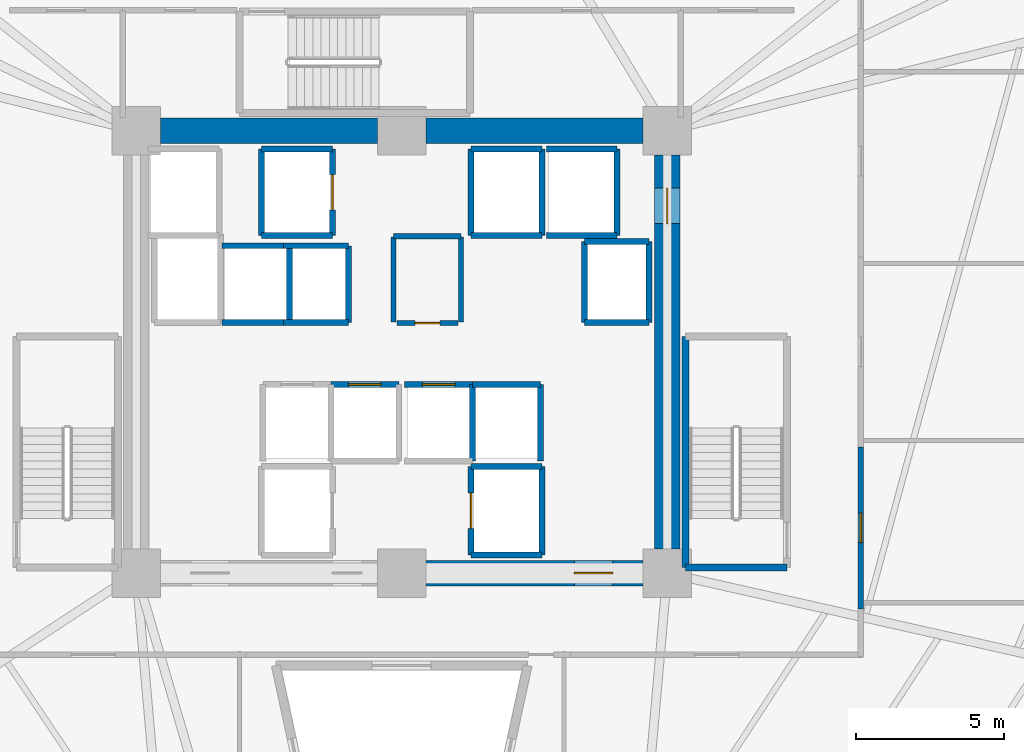
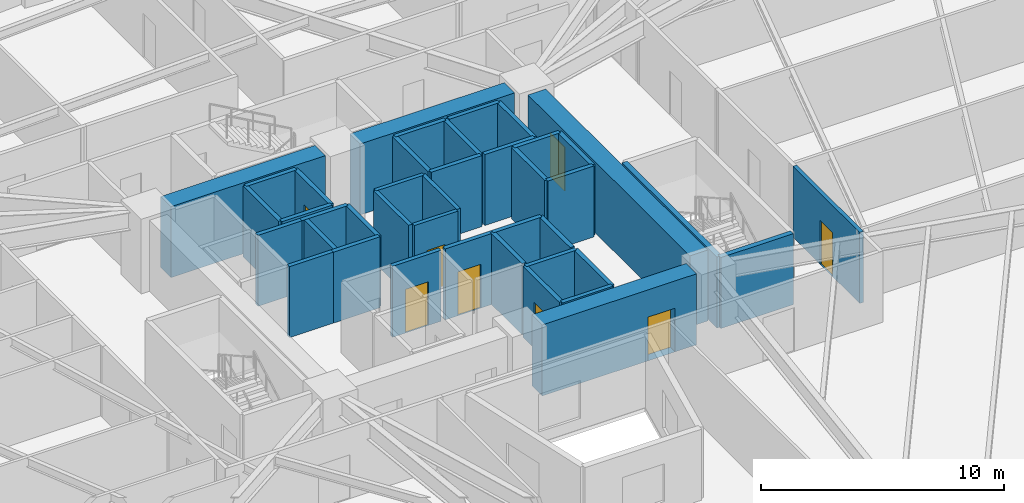
# One storey, part 5 of 8: 41 walls, 8 doors, 8 openings.
"""IFC4 building model written with IfcOpenShell, lengths in metres."""

from ifc_helpers import new_model, si_unit, direction, frame, frame_2d, origin, place, context, subcontext, project, spatial, rectangle, extrude, source, transform, mapped, material, layer, layer_set, type_object, element, fill, save


model = new_model("IFC4")

# Units and contexts
model_context = context("Model", 3, precision=1e-05, world=origin(), true_north=direction((0.0, 1.0)))
body_context = subcontext(model_context, "Body", "Model", "MODEL_VIEW")
ifc_project = project(units=[si_unit("LENGTHUNIT", "METRE"), si_unit("AREAUNIT", "SQUARE_METRE"), si_unit("VOLUMEUNIT", "CUBIC_METRE"), si_unit("PLANEANGLEUNIT", "RADIAN"), si_unit("MASSUNIT", "GRAM", prefix="KILO")], contexts=[model_context])

# Site, building, storey
site_placement = place(None, origin())
site = spatial("IfcSite", under=ifc_project, at=site_placement, CompositionType="ELEMENT")
building_placement = place(site_placement, origin())
building = spatial("IfcBuilding", under=site, at=building_placement, Name="Liaohun Quay Tower", CompositionType="ELEMENT")
storey_placement = place(building_placement, frame((0.0, 0.0, 81.75)))
storey = spatial("IfcBuildingStorey", under=building, at=storey_placement, Name="L21", CompositionType="ELEMENT", Elevation=81.75)

# Walls
ifc_material_1 = material(Name="Concrete C60", Category="concrete")
ifc_layer_1 = layer(ifc_material_1, 0.85009765625, Name="Concrete C60", Category="concrete")
ifc_layer_set_1 = layer_set([ifc_layer_1], Name="Concrete C60")
wall_type_1 = type_object("IfcWallType", Name="WAL-COR-Z1", PredefinedType="SHEAR", material=ifc_layer_set_1)
for number, where, z_axis, x_axis, name in (
    (1, (51.824951171875, 61.5, 0.0), (0.0, 0.0, 1.0), (1.0, 0.0, 0.0), "L21 Central Core Shear Wall N-W"),
    (2, (60.824951171875, 61.5, 0.0), (0.0, 0.0, 1.0), (1.0, 0.0, 0.0), "L21 Central Core Shear Wall N-E"),
):
    element("IfcWall", number, at=place(storey_placement, frame(where, z_axis=z_axis, x_axis=x_axis)), inside=storey, type_object=wall_type_1, Name=name, PredefinedType="SHEAR", context=body_context, shape_type="SweptSolid", body=[
        extrude(rectangle(XDim=7.35009765625, YDim=0.85009765625, at=frame_2d((3.675048828125, 0.0))), origin(), (0.0, 0.0, 1.0), 3.570068359375),
    ])

# Wall, opening, door
wall_1_placement = place(storey_placement, frame((69.0, 60.675048828125, 0.0), z_axis=(0.0, 0.0, 1.0), x_axis=(0.0, -1.0, 0.0)))
wall_1 = element("IfcWall", 3, at=wall_1_placement, inside=storey, type_object=wall_type_1, Name="L21 Central Core Shear Wall E", PredefinedType="SHEAR", context=body_context, shape_type="SweptSolid", body=[
    extrude(rectangle(XDim=13.35009765625, YDim=0.85009765625, at=frame_2d((6.675048828125, 0.0))), origin(), (0.0, 0.0, 1.0), 3.570068359375),
])
shared_shape_1 = source(origin(), body_context, "Body", "SweptSolid", [
    extrude(rectangle(XDim=1.199951171875, YDim=2.199951171875, at=frame_2d((0.60009765625, 1.10009765625))), frame((0.0, 0.43505859375, 0.0), z_axis=(0.0, -1.0, 0.0), x_axis=(1.0, 0.0, 0.0)), (0.0, 0.0, 1.0), 0.8701171875),
])
opening_1_placement = place(wall_1_placement, frame((1.125, 0.0, 0.0)))
opening_1 = element("IfcOpeningElement", 4, at=opening_1_placement, cuts=wall_1, Name="Opening SD1", PredefinedType="OPENING", context=body_context, shape_type="MappedRepresentation", body=[
    mapped(shared_shape_1, transform((0.0, 0.0, 0.0), x_axis=(1.0, 0.0, 0.0), y_axis=(0.0, 1.0, 0.0), z_axis=(0.0, 0.0, 1.0), scale=1.0)),
])
ifc_material_2 = material(Name="Galvanised steel fire door", Category="steel")
door_type_1 = type_object("IfcDoorType", Name="DOR-STR-1200", OperationType="NOTDEFINED", PredefinedType="DOOR", material=ifc_material_2)
shared_shape_2 = source(origin(), body_context, "Body", "SweptSolid", [
    extrude(rectangle(XDim=1.199951171875, YDim=2.199951171875, at=frame_2d((0.60009765625, 1.10009765625))), frame((0.0, 0.02490234375, 0.0), z_axis=(0.0, -1.0, 0.0), x_axis=(1.0, 0.0, 0.0)), (0.0, 0.0, 1.0), 0.050048828125),
])
door_1_placement = place(opening_1_placement, origin())
door_1 = element("IfcDoor", 5, at=door_1_placement, inside=storey, type_object=door_type_1, Name="L21 North-East Core Lobby Smokeproof Door", OperationType="SINGLE_SWING_LEFT", OverallHeight=2.199951171875, OverallWidth=1.199951171875, PredefinedType="DOOR", context=body_context, shape_type="MappedRepresentation", body=[
    mapped(shared_shape_2, transform((0.0, 0.0, 0.0), x_axis=(1.0, 0.0, 0.0), y_axis=(0.0, 1.0, 0.0), z_axis=(0.0, 0.0, 1.0), scale=1.0)),
])
fill(opening_1, door_1)

wall_2_placement = place(storey_placement, frame((68.175048828125, 46.5, 0.0), z_axis=(0.0, 0.0, 1.0), x_axis=(-1.0, 0.0, 0.0)))
wall_2 = element("IfcWall", 6, at=wall_2_placement, inside=storey, type_object=wall_type_1, Name="L21 Central Core Shear Wall S-E", PredefinedType="SHEAR", context=body_context, shape_type="SweptSolid", body=[
    extrude(rectangle(XDim=7.35009765625, YDim=0.85009765625, at=frame_2d((3.675048828125, 0.0))), origin(), (0.0, 0.0, 1.0), 3.570068359375),
])
shared_shape_3 = source(origin(), body_context, "Body", "SweptSolid", [
    extrude(rectangle(XDim=1.300048828125, YDim=2.199951171875, at=frame_2d((0.64990234375, 1.10009765625))), frame((0.0, 0.43505859375, 0.0), z_axis=(0.0, -1.0, 0.0), x_axis=(1.0, 0.0, 0.0)), (0.0, 0.0, 1.0), 0.8701171875),
])
opening_2_placement = place(wall_2_placement, frame((1.02490234375, 0.0, 0.0)))
opening_2 = element("IfcOpeningElement", 7, at=opening_2_placement, cuts=wall_2, Name="Opening FD1", PredefinedType="OPENING", context=body_context, shape_type="MappedRepresentation", body=[
    mapped(shared_shape_3, transform((0.0, 0.0, 0.0), x_axis=(1.0, 0.0, 0.0), y_axis=(0.0, 1.0, 0.0), z_axis=(0.0, 0.0, 1.0), scale=1.0)),
])
ifc_material_3 = material(Name="Galvanised steel smokeproof fire door", Category="steel")
door_type_2 = type_object("IfcDoorType", Name="DOR-FFL-1300", OperationType="NOTDEFINED", PredefinedType="DOOR", material=ifc_material_3)
shared_shape_4 = source(origin(), body_context, "Body", "SweptSolid", [
    extrude(rectangle(XDim=1.300048828125, YDim=2.199951171875, at=frame_2d((0.64990234375, 1.10009765625))), frame((0.0, 0.02490234375, 0.0), z_axis=(0.0, -1.0, 0.0), x_axis=(1.0, 0.0, 0.0)), (0.0, 0.0, 1.0), 0.050048828125),
])
door_2_placement = place(opening_2_placement, origin())
door_2 = element("IfcDoor", 8, at=door_2_placement, inside=storey, type_object=door_type_2, Name="L21 East Core Lift Lobby Smokeproof Door", OperationType="SINGLE_SWING_LEFT", OverallHeight=2.199951171875, OverallWidth=1.300048828125, PredefinedType="DOOR", context=body_context, shape_type="MappedRepresentation", body=[
    mapped(shared_shape_4, transform((0.0, 0.0, 0.0), x_axis=(1.0, 0.0, 0.0), y_axis=(0.0, 1.0, 0.0), z_axis=(0.0, 0.0, 1.0), scale=1.0)),
])
fill(opening_2, door_2)

ifc_material_4 = material(Name="Autoclaved aerated concrete blockwork", Category="masonry")
ifc_layer_2 = layer(ifc_material_4, 0.179931640625, Name="Autoclaved aerated concrete blockwork", Category="masonry")
ifc_layer_set_2 = layer_set([ifc_layer_2], Name="Autoclaved aerated concrete blockwork")
wall_type_2 = type_object("IfcWallType", Name="WAL-PRT-COR", PredefinedType="PARTITIONING", material=ifc_layer_set_2)
wall_3_placement = place(storey_placement, frame((59.840087890625, 54.97998046875, 0.0), z_axis=(0.0, 0.0, 1.0), x_axis=(1.0, 0.0, 0.0)))
wall_3 = element("IfcWall", 9, at=wall_3_placement, inside=storey, type_object=wall_type_2, Name="L21 Interior Partition Wall 001", PredefinedType="PARTITIONING", context=body_context, shape_type="SweptSolid", body=[
    extrude(rectangle(XDim=2.059814453125, YDim=0.179931640625, at=frame_2d((1.02978515625, 0.0))), origin(), (0.0, 0.0, 1.0), 3.570068359375),
])
shared_shape_5 = source(origin(), body_context, "Body", "SweptSolid", [
    extrude(rectangle(XDim=0.85009765625, YDim=2.10009765625, at=frame_2d((0.425048828125, 1.050048828125))), frame((0.0, 0.099853515625, 0.0), z_axis=(0.0, -1.0, 0.0), x_axis=(1.0, 0.0, 0.0)), (0.0, 0.0, 1.0), 0.199951171875),
])
opening_3_placement = place(wall_3_placement, frame((0.60498046875, 0.0, 0.0)))
opening_3 = element("IfcOpeningElement", 10, at=opening_3_placement, cuts=wall_3, Name="Opening AD1", PredefinedType="OPENING", context=body_context, shape_type="MappedRepresentation", body=[
    mapped(shared_shape_5, transform((0.0, 0.0, 0.0), x_axis=(1.0, 0.0, 0.0), y_axis=(0.0, 1.0, 0.0), z_axis=(0.0, 0.0, 1.0), scale=1.0)),
])
ifc_material_5 = material(Name="Steel riser inspection fire door", Category="steel")
door_type_3 = type_object("IfcDoorType", Name="DOR-SHF-850", OperationType="NOTDEFINED", PredefinedType="DOOR", material=ifc_material_5)
shared_shape_6 = source(origin(), body_context, "Body", "SweptSolid", [
    extrude(rectangle(XDim=0.85009765625, YDim=2.10009765625, at=frame_2d((0.425048828125, 1.050048828125))), frame((0.0, 0.02490234375, 0.0), z_axis=(0.0, -1.0, 0.0), x_axis=(1.0, 0.0, 0.0)), (0.0, 0.0, 1.0), 0.050048828125),
])
door_3_placement = place(opening_3_placement, origin())
door_3 = element("IfcDoor", 11, at=door_3_placement, inside=storey, type_object=door_type_3, Name="L21 Core Electrical and Telecom Riser Room Door", OperationType="SINGLE_SWING_LEFT", OverallHeight=2.10009765625, OverallWidth=0.85009765625, PredefinedType="DOOR", context=body_context, shape_type="MappedRepresentation", body=[
    mapped(shared_shape_6, transform((0.0, 0.0, 0.0), x_axis=(1.0, 0.0, 0.0), y_axis=(0.0, 1.0, 0.0), z_axis=(0.0, 0.0, 1.0), scale=1.0)),
])
fill(opening_3, door_3)

wall_4_placement = place(storey_placement, frame((75.56005859375, 50.784912109375, 0.0), z_axis=(0.0, 0.0, 1.0), x_axis=(0.0, -1.0, 0.0)))
wall_4 = element("IfcWall", 12, at=wall_4_placement, inside=storey, type_object=wall_type_2, Name="L21 Interior Partition Wall 022", PredefinedType="PARTITIONING", context=body_context, shape_type="SweptSolid", body=[
    extrude(rectangle(XDim=5.5, YDim=0.179931640625, at=frame_2d((2.75, 0.0))), origin(), (0.0, 0.0, 1.0), 3.570068359375),
])
shared_shape_7 = source(origin(), body_context, "Body", "SweptSolid", [
    extrude(rectangle(XDim=1.0, YDim=2.199951171875, at=frame_2d((0.5, 1.10009765625))), frame((0.0, 0.099853515625, 0.0), z_axis=(0.0, -1.0, 0.0), x_axis=(1.0, 0.0, 0.0)), (0.0, 0.0, 1.0), 0.199951171875),
])
opening_4_placement = place(wall_4_placement, frame((2.25, 0.0, 0.0)))
opening_4 = element("IfcOpeningElement", 13, at=opening_4_placement, cuts=wall_4, Name="Opening OD1", PredefinedType="OPENING", context=body_context, shape_type="MappedRepresentation", body=[
    mapped(shared_shape_7, transform((0.0, 0.0, 0.0), x_axis=(1.0, 0.0, 0.0), y_axis=(0.0, 1.0, 0.0), z_axis=(0.0, 0.0, 1.0), scale=1.0)),
])
ifc_material_6 = material(Name="Solid-core oak veneer timber leaf in steel frame", Category="steel")
door_type_4 = type_object("IfcDoorType", Name="DOR-OFF-1000", OperationType="NOTDEFINED", PredefinedType="DOOR", material=ifc_material_6)
shared_shape_8 = source(origin(), body_context, "Body", "SweptSolid", [
    extrude(rectangle(XDim=1.0, YDim=2.199951171875, at=frame_2d((0.5, 1.10009765625))), frame((0.0, 0.02490234375, 0.0), z_axis=(0.0, -1.0, 0.0), x_axis=(1.0, 0.0, 0.0)), (0.0, 0.0, 1.0), 0.050048828125),
])
door_4_placement = place(opening_4_placement, origin())
door_4 = element("IfcDoor", 14, at=door_4_placement, inside=storey, type_object=door_type_4, Name="L21 Project Operations Office 14 Door", OperationType="SINGLE_SWING_RIGHT", OverallHeight=2.199951171875, OverallWidth=1.0, PredefinedType="DOOR", context=body_context, shape_type="MappedRepresentation", body=[
    mapped(shared_shape_8, transform((0.0, 0.0, 0.0), x_axis=(1.0, 0.0, 0.0), y_axis=(0.0, 1.0, 0.0), z_axis=(0.0, 0.0, 1.0), scale=1.0)),
])
fill(opening_4, door_4)

# Walls
for number, where, z_axis, x_axis, name in (
    (15, (59.719970703125, 55.02001953125, 0.0), (0.0, 0.0, 1.0), (0.0, 1.0, 0.0), "L21 Interior Partition Wall 023"),
    (16, (62.010009765625, 55.02001953125, 0.0), (0.0, 0.0, 1.0), (0.0, 1.0, 0.0), "L21 Interior Partition Wall 024"),
):
    element("IfcWall", number, at=place(storey_placement, frame(where, z_axis=z_axis, x_axis=x_axis)), inside=storey, type_object=wall_type_2, Name=name, PredefinedType="PARTITIONING", context=body_context, shape_type="SweptSolid", body=[
        extrude(rectangle(XDim=2.8798828125, YDim=0.179931640625, at=frame_2d((1.43994140625, 0.0))), origin(), (0.0, 0.0, 1.0), 3.570068359375),
    ])
wall_5_placement = place(storey_placement, frame((59.719970703125, 57.919921875, 0.0), z_axis=(0.0, 0.0, 1.0), x_axis=(1.0, 0.0, 0.0)))
element("IfcWall", 17, at=wall_5_placement, inside=storey, type_object=wall_type_2, Name="L21 Interior Partition Wall 025", PredefinedType="PARTITIONING", context=body_context, shape_type="SweptSolid", body=[
    extrude(rectangle(XDim=2.2900390625, YDim=0.179931640625, at=frame_2d((1.14501953125, 0.0))), origin(), (0.0, 0.0, 1.0), 3.570068359375),
])
ifc_material_7 = material(Name="Concrete C50", Category="concrete")
ifc_layer_3 = layer(ifc_material_7, 0.239990234375, Name="Concrete C50", Category="concrete")
ifc_layer_set_3 = layer_set([ifc_layer_3], Name="Concrete C50")
wall_type_3 = type_object("IfcWallType", Name="WAL-SHF-200", PredefinedType="SOLIDWALL", material=ifc_layer_set_3)
wall_6_placement = place(storey_placement, frame((69.6201171875, 46.699951171875, 0.0), z_axis=(0.0, 0.0, 1.0), x_axis=(1.0, 0.0, 0.0)))
element("IfcWall", 18, at=wall_6_placement, inside=storey, type_object=wall_type_3, Name="L21 Stairwell ST-2 Structural Core Wall S", PredefinedType="SOLIDWALL", context=body_context, shape_type="SweptSolid", body=[
    extrude(rectangle(XDim=3.43994140625, YDim=0.239990234375, at=frame_2d((1.719970703125, 0.0))), origin(), (0.0, 0.0, 1.0), 3.570068359375),
])
wall_7_placement = place(storey_placement, frame((69.6201171875, 54.52001953125, 0.0), z_axis=(0.0, 0.0, 1.0), x_axis=(0.0, -1.0, 0.0)))
element("IfcWall", 19, at=wall_7_placement, inside=storey, type_object=wall_type_3, Name="L21 Stairwell ST-2 Structural Core Wall W", PredefinedType="SOLIDWALL", context=body_context, shape_type="SweptSolid", body=[
    extrude(rectangle(XDim=7.820068359375, YDim=0.239990234375, at=frame_2d((3.91015625, 0.0))), origin(), (0.0, 0.0, 1.0), 3.570068359375),
])
wall_8_placement = place(storey_placement, frame((62.35009765625, 47.1201171875, 0.0), z_axis=(0.0, 0.0, 1.0), x_axis=(1.0, 0.0, 0.0)))
element("IfcWall", 20, at=wall_8_placement, inside=storey, type_object=wall_type_3, Name="L21 Lift FF-02 Hoistway Wall S", PredefinedType="SOLIDWALL", context=body_context, shape_type="SweptSolid", body=[
    extrude(rectangle(XDim=2.39990234375, YDim=0.199951171875, at=frame_2d((1.199951171875, 0.0))), origin(), (0.0, 0.0, 1.0), 3.570068359375),
])
wall_9_placement = place(storey_placement, frame((64.75, 47.1201171875, 0.0), z_axis=(0.0, 0.0, 1.0), x_axis=(0.0, 1.0, 0.0)))
element("IfcWall", 21, at=wall_9_placement, inside=storey, type_object=wall_type_3, Name="L21 Lift FF-02 Hoistway Wall E", PredefinedType="SOLIDWALL", context=body_context, shape_type="SweptSolid", body=[
    extrude(rectangle(XDim=3.0, YDim=0.199951171875, at=frame_2d((1.5, 0.0))), origin(), (0.0, 0.0, 1.0), 3.570068359375),
])
wall_10_placement = place(storey_placement, frame((64.75, 50.1201171875, 0.0), z_axis=(0.0, 0.0, 1.0), x_axis=(-1.0, 0.0, 0.0)))
element("IfcWall", 22, at=wall_10_placement, inside=storey, type_object=wall_type_3, Name="L21 Lift FF-02 Hoistway Wall N", PredefinedType="SOLIDWALL", context=body_context, shape_type="SweptSolid", body=[
    extrude(rectangle(XDim=2.39990234375, YDim=0.199951171875, at=frame_2d((1.199951171875, 0.0))), origin(), (0.0, 0.0, 1.0), 3.570068359375),
])

# Wall, opening, door
wall_11_placement = place(storey_placement, frame((62.35009765625, 50.1201171875, 0.0), z_axis=(0.0, 0.0, 1.0), x_axis=(0.0, -1.0, 0.0)))
wall_11 = element("IfcWall", 23, at=wall_11_placement, inside=storey, type_object=wall_type_3, Name="L21 Lift FF-02 Hoistway Wall W", PredefinedType="SOLIDWALL", context=body_context, shape_type="SweptSolid", body=[
    extrude(rectangle(XDim=3.0, YDim=0.199951171875, at=frame_2d((1.5, 0.0))), origin(), (0.0, 0.0, 1.0), 3.570068359375),
])
shared_shape_9 = source(origin(), body_context, "Body", "SweptSolid", [
    extrude(rectangle(XDim=1.199951171875, YDim=2.300048828125, at=frame_2d((0.60009765625, 1.14990234375))), frame((0.0, 0.10986328125, 0.0), z_axis=(0.0, -1.0, 0.0), x_axis=(1.0, 0.0, 0.0)), (0.0, 0.0, 1.0), 0.219970703125),
])
opening_5_placement = place(wall_11_placement, frame((0.89990234375, 0.0, 0.0)))
opening_5 = element("IfcOpeningElement", 24, at=opening_5_placement, cuts=wall_11, Name="Opening LD2", PredefinedType="OPENING", context=body_context, shape_type="MappedRepresentation", body=[
    mapped(shared_shape_9, transform((0.0, 0.0, 0.0), x_axis=(1.0, 0.0, 0.0), y_axis=(0.0, 1.0, 0.0), z_axis=(0.0, 0.0, 1.0), scale=1.0)),
])
ifc_material_8 = material(Name="Brushed stainless steel stretcher landing door", Category="steel")
door_type_5 = type_object("IfcDoorType", Name="DOR-LFT-1200", OperationType="SLIDING_TO_LEFT", PredefinedType="DOOR", material=ifc_material_8)
shared_shape_10 = source(origin(), body_context, "Body", "SweptSolid", [
    extrude(rectangle(XDim=1.199951171875, YDim=2.300048828125, at=frame_2d((0.60009765625, 1.14990234375))), frame((0.0, 0.02490234375, 0.0), z_axis=(0.0, -1.0, 0.0), x_axis=(1.0, 0.0, 0.0)), (0.0, 0.0, 1.0), 0.050048828125),
])
door_5_placement = place(opening_5_placement, origin())
door_5 = element("IfcDoor", 25, at=door_5_placement, inside=storey, type_object=door_type_5, Name="L21 Lift FF-02 Sliding Landing Door", OperationType="SLIDING_TO_LEFT", OverallHeight=2.300048828125, OverallWidth=1.199951171875, PredefinedType="DOOR", context=body_context, shape_type="MappedRepresentation", body=[
    mapped(shared_shape_10, transform((0.0, 0.0, 0.0), x_axis=(1.0, 0.0, 0.0), y_axis=(0.0, 1.0, 0.0), z_axis=(0.0, 0.0, 1.0), scale=1.0)),
])
fill(opening_5, door_5)

# Wall
wall_12_placement = place(storey_placement, frame((55.25, 57.949951171875, 0.0), z_axis=(0.0, 0.0, 1.0), x_axis=(1.0, 0.0, 0.0)))
element("IfcWall", 26, at=wall_12_placement, inside=storey, type_object=wall_type_3, Name="L21 Lift FF-03 Hoistway Wall S", PredefinedType="SOLIDWALL", context=body_context, shape_type="SweptSolid", body=[
    extrude(rectangle(XDim=2.39990234375, YDim=0.199951171875, at=frame_2d((1.199951171875, 0.0))), origin(), (0.0, 0.0, 1.0), 3.570068359375),
])

# Wall, opening, door
wall_13_placement = place(storey_placement, frame((57.64990234375, 57.949951171875, 0.0), z_axis=(0.0, 0.0, 1.0), x_axis=(0.0, 1.0, 0.0)))
wall_13 = element("IfcWall", 27, at=wall_13_placement, inside=storey, type_object=wall_type_3, Name="L21 Lift FF-03 Hoistway Wall E", PredefinedType="SOLIDWALL", context=body_context, shape_type="SweptSolid", body=[
    extrude(rectangle(XDim=2.929931640625, YDim=0.199951171875, at=frame_2d((1.46484375, 0.0))), origin(), (0.0, 0.0, 1.0), 3.570068359375),
])
opening_6_placement = place(wall_13_placement, frame((0.864990234375, 0.0, 0.0)))
opening_6 = element("IfcOpeningElement", 28, at=opening_6_placement, cuts=wall_13, Name="Opening LD2", PredefinedType="OPENING", context=body_context, shape_type="MappedRepresentation", body=[
    mapped(shared_shape_9, transform((0.0, 0.0, 0.0), x_axis=(1.0, 0.0, 0.0), y_axis=(0.0, 1.0, 0.0), z_axis=(0.0, 0.0, 1.0), scale=1.0)),
])
door_6_placement = place(opening_6_placement, origin())
door_6 = element("IfcDoor", 29, at=door_6_placement, inside=storey, type_object=door_type_5, Name="L21 Lift FF-03 Sliding Landing Door", OperationType="SLIDING_TO_LEFT", OverallHeight=2.300048828125, OverallWidth=1.199951171875, PredefinedType="DOOR", context=body_context, shape_type="MappedRepresentation", body=[
    mapped(shared_shape_10, transform((0.0, 0.0, 0.0), x_axis=(1.0, 0.0, 0.0), y_axis=(0.0, 1.0, 0.0), z_axis=(0.0, 0.0, 1.0), scale=1.0)),
])
fill(opening_6, door_6)

# Walls
wall_14_placement = place(storey_placement, frame((57.64990234375, 60.8798828125, 0.0), z_axis=(0.0, 0.0, 1.0), x_axis=(-1.0, 0.0, 0.0)))
element("IfcWall", 30, at=wall_14_placement, inside=storey, type_object=wall_type_3, Name="L21 Lift FF-03 Hoistway Wall N", PredefinedType="SOLIDWALL", context=body_context, shape_type="SweptSolid", body=[
    extrude(rectangle(XDim=2.39990234375, YDim=0.199951171875, at=frame_2d((1.199951171875, 0.0))), origin(), (0.0, 0.0, 1.0), 3.570068359375),
])
wall_15_placement = place(storey_placement, frame((55.25, 60.8798828125, 0.0), z_axis=(0.0, 0.0, 1.0), x_axis=(0.0, -1.0, 0.0)))
element("IfcWall", 31, at=wall_15_placement, inside=storey, type_object=wall_type_3, Name="L21 Lift FF-03 Hoistway Wall W", PredefinedType="SOLIDWALL", context=body_context, shape_type="SweptSolid", body=[
    extrude(rectangle(XDim=2.929931640625, YDim=0.199951171875, at=frame_2d((1.46484375, 0.0))), origin(), (0.0, 0.0, 1.0), 3.570068359375),
])
wall_16_placement = place(storey_placement, frame((62.35009765625, 57.949951171875, 0.0), z_axis=(0.0, 0.0, 1.0), x_axis=(1.0, 0.0, 0.0)))
element("IfcWall", 32, at=wall_16_placement, inside=storey, type_object=wall_type_3, Name="L21 Lift OB-01 Hoistway Wall S", PredefinedType="SOLIDWALL", context=body_context, shape_type="SweptSolid", body=[
    extrude(rectangle(XDim=2.39990234375, YDim=0.199951171875, at=frame_2d((1.199951171875, 0.0))), origin(), (0.0, 0.0, 1.0), 3.570068359375),
])
wall_17_placement = place(storey_placement, frame((64.75, 57.949951171875, 0.0), z_axis=(0.0, 0.0, 1.0), x_axis=(0.0, 1.0, 0.0)))
element("IfcWall", 33, at=wall_17_placement, inside=storey, type_object=wall_type_3, Name="L21 Lift OB-01 Hoistway Wall E", PredefinedType="SOLIDWALL", context=body_context, shape_type="SweptSolid", body=[
    extrude(rectangle(XDim=2.929931640625, YDim=0.199951171875, at=frame_2d((1.46484375, 0.0))), origin(), (0.0, 0.0, 1.0), 3.570068359375),
])
wall_18_placement = place(storey_placement, frame((64.75, 60.8798828125, 0.0), z_axis=(0.0, 0.0, 1.0), x_axis=(-1.0, 0.0, 0.0)))
element("IfcWall", 34, at=wall_18_placement, inside=storey, type_object=wall_type_3, Name="L21 Lift OB-01 Hoistway Wall N", PredefinedType="SOLIDWALL", context=body_context, shape_type="SweptSolid", body=[
    extrude(rectangle(XDim=2.39990234375, YDim=0.199951171875, at=frame_2d((1.199951171875, 0.0))), origin(), (0.0, 0.0, 1.0), 3.570068359375),
])
wall_19_placement = place(storey_placement, frame((62.35009765625, 60.8798828125, 0.0), z_axis=(0.0, 0.0, 1.0), x_axis=(0.0, -1.0, 0.0)))
element("IfcWall", 35, at=wall_19_placement, inside=storey, type_object=wall_type_3, Name="L21 Lift OB-01 Hoistway Wall W", PredefinedType="SOLIDWALL", context=body_context, shape_type="SweptSolid", body=[
    extrude(rectangle(XDim=2.929931640625, YDim=0.199951171875, at=frame_2d((1.46484375, 0.0))), origin(), (0.0, 0.0, 1.0), 3.570068359375),
])
wall_20_placement = place(storey_placement, frame((64.89990234375, 57.949951171875, 0.0), z_axis=(0.0, 0.0, 1.0), x_axis=(1.0, 0.0, 0.0)))
element("IfcWall", 36, at=wall_20_placement, inside=storey, type_object=wall_type_3, Name="L21 Lift OB-02 Hoistway Wall S", PredefinedType="SOLIDWALL", context=body_context, shape_type="SweptSolid", body=[
    extrude(rectangle(XDim=2.400146484375, YDim=0.199951171875, at=frame_2d((1.2001953125, 0.0))), origin(), (0.0, 0.0, 1.0), 3.570068359375),
])
wall_21_placement = place(storey_placement, frame((67.300048828125, 57.949951171875, 0.0), z_axis=(0.0, 0.0, 1.0), x_axis=(0.0, 1.0, 0.0)))
element("IfcWall", 37, at=wall_21_placement, inside=storey, type_object=wall_type_3, Name="L21 Lift OB-02 Hoistway Wall E", PredefinedType="SOLIDWALL", context=body_context, shape_type="SweptSolid", body=[
    extrude(rectangle(XDim=2.929931640625, YDim=0.199951171875, at=frame_2d((1.46484375, 0.0))), origin(), (0.0, 0.0, 1.0), 3.570068359375),
])
wall_22_placement = place(storey_placement, frame((67.300048828125, 60.8798828125, 0.0), z_axis=(0.0, 0.0, 1.0), x_axis=(-1.0, 0.0, 0.0)))
element("IfcWall", 38, at=wall_22_placement, inside=storey, type_object=wall_type_3, Name="L21 Lift OB-02 Hoistway Wall N", PredefinedType="SOLIDWALL", context=body_context, shape_type="SweptSolid", body=[
    extrude(rectangle(XDim=2.400146484375, YDim=0.199951171875, at=frame_2d((1.2001953125, 0.0))), origin(), (0.0, 0.0, 1.0), 3.570068359375),
])
wall_23_placement = place(storey_placement, frame((66.199951171875, 55.0, 0.0), z_axis=(0.0, 0.0, 1.0), x_axis=(1.0, 0.0, 0.0)))
element("IfcWall", 39, at=wall_23_placement, inside=storey, type_object=wall_type_3, Name="L21 Lift SH-03 Hoistway Wall S", PredefinedType="SOLIDWALL", context=body_context, shape_type="SweptSolid", body=[
    extrude(rectangle(XDim=2.179931640625, YDim=0.199951171875, at=frame_2d((1.08984375, 0.0))), origin(), (0.0, 0.0, 1.0), 3.570068359375),
])
wall_24_placement = place(storey_placement, frame((68.3798828125, 55.0, 0.0), z_axis=(0.0, 0.0, 1.0), x_axis=(0.0, 1.0, 0.0)))
element("IfcWall", 40, at=wall_24_placement, inside=storey, type_object=wall_type_3, Name="L21 Lift SH-03 Hoistway Wall E", PredefinedType="SOLIDWALL", context=body_context, shape_type="SweptSolid", body=[
    extrude(rectangle(XDim=2.75, YDim=0.199951171875, at=frame_2d((1.375, 0.0))), origin(), (0.0, 0.0, 1.0), 3.570068359375),
])
wall_25_placement = place(storey_placement, frame((68.3798828125, 57.75, 0.0), z_axis=(0.0, 0.0, 1.0), x_axis=(-1.0, 0.0, 0.0)))
element("IfcWall", 41, at=wall_25_placement, inside=storey, type_object=wall_type_3, Name="L21 Lift SH-03 Hoistway Wall N", PredefinedType="SOLIDWALL", context=body_context, shape_type="SweptSolid", body=[
    extrude(rectangle(XDim=2.179931640625, YDim=0.199951171875, at=frame_2d((1.08984375, 0.0))), origin(), (0.0, 0.0, 1.0), 3.570068359375),
])
wall_26_placement = place(storey_placement, frame((66.199951171875, 57.75, 0.0), z_axis=(0.0, 0.0, 1.0), x_axis=(0.0, -1.0, 0.0)))
element("IfcWall", 42, at=wall_26_placement, inside=storey, type_object=wall_type_3, Name="L21 Lift SH-03 Hoistway Wall W", PredefinedType="SOLIDWALL", context=body_context, shape_type="SweptSolid", body=[
    extrude(rectangle(XDim=2.75, YDim=0.199951171875, at=frame_2d((1.375, 0.0))), origin(), (0.0, 0.0, 1.0), 3.570068359375),
])

# Wall, opening, door
wall_27_placement = place(storey_placement, frame((59.89990234375, 52.89990234375, 0.0), z_axis=(0.0, 0.0, 1.0), x_axis=(-1.0, 0.0, 0.0)))
wall_27 = element("IfcWall", 43, at=wall_27_placement, inside=storey, type_object=wall_type_3, Name="L21 Lift PL-1B Hoistway Wall N", PredefinedType="SOLIDWALL", context=body_context, shape_type="SweptSolid", body=[
    extrude(rectangle(XDim=2.2998046875, YDim=0.199951171875, at=frame_2d((1.14990234375, 0.0))), origin(), (0.0, 0.0, 1.0), 3.570068359375),
])
shared_shape_11 = source(origin(), body_context, "Body", "SweptSolid", [
    extrude(rectangle(XDim=1.10009765625, YDim=2.199951171875, at=frame_2d((0.550048828125, 1.10009765625))), frame((0.0, 0.10986328125, 0.0), z_axis=(0.0, -1.0, 0.0), x_axis=(1.0, 0.0, 0.0)), (0.0, 0.0, 1.0), 0.219970703125),
])
opening_7_placement = place(wall_27_placement, frame((0.60009765625, 0.0, 0.0)))
opening_7 = element("IfcOpeningElement", 44, at=opening_7_placement, cuts=wall_27, Name="Opening LD1", PredefinedType="OPENING", context=body_context, shape_type="MappedRepresentation", body=[
    mapped(shared_shape_11, transform((0.0, 0.0, 0.0), x_axis=(1.0, 0.0, 0.0), y_axis=(0.0, 1.0, 0.0), z_axis=(0.0, 0.0, 1.0), scale=1.0)),
])
ifc_material_9 = material(Name="Brushed stainless steel landing door", Category="steel")
door_type_6 = type_object("IfcDoorType", Name="DOR-LFT-1100", OperationType="SLIDING_TO_LEFT", PredefinedType="DOOR", material=ifc_material_9)
shared_shape_12 = source(origin(), body_context, "Body", "SweptSolid", [
    extrude(rectangle(XDim=1.10009765625, YDim=2.199951171875, at=frame_2d((0.550048828125, 1.10009765625))), frame((0.0, 0.02490234375, 0.0), z_axis=(0.0, -1.0, 0.0), x_axis=(1.0, 0.0, 0.0)), (0.0, 0.0, 1.0), 0.050048828125),
])
door_7_placement = place(opening_7_placement, origin())
door_7 = element("IfcDoor", 45, at=door_7_placement, inside=storey, type_object=door_type_6, Name="L21 Lift PL-1B Sliding Landing Door", OperationType="SLIDING_TO_LEFT", OverallHeight=2.199951171875, OverallWidth=1.10009765625, PredefinedType="DOOR", context=body_context, shape_type="MappedRepresentation", body=[
    mapped(shared_shape_12, transform((0.0, 0.0, 0.0), x_axis=(1.0, 0.0, 0.0), y_axis=(0.0, 1.0, 0.0), z_axis=(0.0, 0.0, 1.0), scale=1.0)),
])
fill(opening_7, door_7)

# Wall
wall_28_placement = place(storey_placement, frame((62.39990234375, 50.300048828125, 0.0), z_axis=(0.0, 0.0, 1.0), x_axis=(0.0, 1.0, 0.0)))
element("IfcWall", 46, at=wall_28_placement, inside=storey, type_object=wall_type_3, Name="L21 Lift PL-1C Hoistway Wall E", PredefinedType="SOLIDWALL", context=body_context, shape_type="SweptSolid", body=[
    extrude(rectangle(XDim=2.599853515625, YDim=0.199951171875, at=frame_2d((1.2998046875, 0.0))), origin(), (0.0, 0.0, 1.0), 3.570068359375),
])

# Wall, opening, door
wall_29_placement = place(storey_placement, frame((62.39990234375, 52.89990234375, 0.0), z_axis=(0.0, 0.0, 1.0), x_axis=(-1.0, 0.0, 0.0)))
wall_29 = element("IfcWall", 47, at=wall_29_placement, inside=storey, type_object=wall_type_3, Name="L21 Lift PL-1C Hoistway Wall N", PredefinedType="SOLIDWALL", context=body_context, shape_type="SweptSolid", body=[
    extrude(rectangle(XDim=2.2998046875, YDim=0.199951171875, at=frame_2d((1.14990234375, 0.0))), origin(), (0.0, 0.0, 1.0), 3.570068359375),
])
opening_8_placement = place(wall_29_placement, frame((0.60009765625, 0.0, 0.0)))
opening_8 = element("IfcOpeningElement", 48, at=opening_8_placement, cuts=wall_29, Name="Opening LD1", PredefinedType="OPENING", context=body_context, shape_type="MappedRepresentation", body=[
    mapped(shared_shape_11, transform((0.0, 0.0, 0.0), x_axis=(1.0, 0.0, 0.0), y_axis=(0.0, 1.0, 0.0), z_axis=(0.0, 0.0, 1.0), scale=1.0)),
])
door_8_placement = place(opening_8_placement, origin())
door_8 = element("IfcDoor", 49, at=door_8_placement, inside=storey, type_object=door_type_6, Name="L21 Lift PL-1C Sliding Landing Door", OperationType="SLIDING_TO_LEFT", OverallHeight=2.199951171875, OverallWidth=1.10009765625, PredefinedType="DOOR", context=body_context, shape_type="MappedRepresentation", body=[
    mapped(shared_shape_12, transform((0.0, 0.0, 0.0), x_axis=(1.0, 0.0, 0.0), y_axis=(0.0, 1.0, 0.0), z_axis=(0.0, 0.0, 1.0), scale=1.0)),
])
fill(opening_8, door_8)

# Walls
wall_30_placement = place(storey_placement, frame((64.699951171875, 50.300048828125, 0.0), z_axis=(0.0, 0.0, 1.0), x_axis=(0.0, 1.0, 0.0)))
element("IfcWall", 50, at=wall_30_placement, inside=storey, type_object=wall_type_3, Name="L21 Lift PL-2A Hoistway Wall E", PredefinedType="SOLIDWALL", context=body_context, shape_type="SweptSolid", body=[
    extrude(rectangle(XDim=2.599853515625, YDim=0.199951171875, at=frame_2d((1.2998046875, 0.0))), origin(), (0.0, 0.0, 1.0), 3.570068359375),
])
for number, where, z_axis, x_axis, name in (
    (51, (64.699951171875, 52.89990234375, 0.0), (0.0, 0.0, 1.0), (-1.0, 0.0, 0.0), "L21 Lift PL-2A Hoistway Wall N"),
    (52, (53.89990234375, 55.0, 0.0), (0.0, 0.0, 1.0), (1.0, 0.0, 0.0), "L21 Lift PL-2B Hoistway Wall S"),
):
    element("IfcWall", number, at=place(storey_placement, frame(where, z_axis=z_axis, x_axis=x_axis)), inside=storey, type_object=wall_type_3, Name=name, PredefinedType="SOLIDWALL", context=body_context, shape_type="SweptSolid", body=[
        extrude(rectangle(XDim=2.300048828125, YDim=0.199951171875, at=frame_2d((1.14990234375, 0.0))), origin(), (0.0, 0.0, 1.0), 3.570068359375),
    ])
wall_31_placement = place(storey_placement, frame((56.199951171875, 55.0, 0.0), z_axis=(0.0, 0.0, 1.0), x_axis=(0.0, 1.0, 0.0)))
element("IfcWall", 53, at=wall_31_placement, inside=storey, type_object=wall_type_3, Name="L21 Lift PL-2B Hoistway Wall E", PredefinedType="SOLIDWALL", context=body_context, shape_type="SweptSolid", body=[
    extrude(rectangle(XDim=2.60009765625, YDim=0.199951171875, at=frame_2d((1.300048828125, 0.0))), origin(), (0.0, 0.0, 1.0), 3.570068359375),
])
wall_32_placement = place(storey_placement, frame((56.199951171875, 57.60009765625, 0.0), z_axis=(0.0, 0.0, 1.0), x_axis=(-1.0, 0.0, 0.0)))
element("IfcWall", 54, at=wall_32_placement, inside=storey, type_object=wall_type_3, Name="L21 Lift PL-2B Hoistway Wall N", PredefinedType="SOLIDWALL", context=body_context, shape_type="SweptSolid", body=[
    extrude(rectangle(XDim=2.300048828125, YDim=0.199951171875, at=frame_2d((1.14990234375, 0.0))), origin(), (0.0, 0.0, 1.0), 3.570068359375),
])
wall_33_placement = place(storey_placement, frame((56.0, 55.0, 0.0), z_axis=(0.0, 0.0, 1.0), x_axis=(1.0, 0.0, 0.0)))
element("IfcWall", 55, at=wall_33_placement, inside=storey, type_object=wall_type_3, Name="L21 Lift PL-2C Hoistway Wall S", PredefinedType="SOLIDWALL", context=body_context, shape_type="SweptSolid", body=[
    extrude(rectangle(XDim=2.199951171875, YDim=0.199951171875, at=frame_2d((1.10009765625, 0.0))), origin(), (0.0, 0.0, 1.0), 3.570068359375),
])
wall_34_placement = place(storey_placement, frame((58.199951171875, 55.0, 0.0), z_axis=(0.0, 0.0, 1.0), x_axis=(0.0, 1.0, 0.0)))
element("IfcWall", 56, at=wall_34_placement, inside=storey, type_object=wall_type_3, Name="L21 Lift PL-2C Hoistway Wall E", PredefinedType="SOLIDWALL", context=body_context, shape_type="SweptSolid", body=[
    extrude(rectangle(XDim=2.60009765625, YDim=0.199951171875, at=frame_2d((1.300048828125, 0.0))), origin(), (0.0, 0.0, 1.0), 3.570068359375),
])
wall_35_placement = place(storey_placement, frame((58.199951171875, 57.60009765625, 0.0), z_axis=(0.0, 0.0, 1.0), x_axis=(-1.0, 0.0, 0.0)))
element("IfcWall", 57, at=wall_35_placement, inside=storey, type_object=wall_type_3, Name="L21 Lift PL-2C Hoistway Wall N", PredefinedType="SOLIDWALL", context=body_context, shape_type="SweptSolid", body=[
    extrude(rectangle(XDim=2.199951171875, YDim=0.199951171875, at=frame_2d((1.10009765625, 0.0))), origin(), (0.0, 0.0, 1.0), 3.570068359375),
])

save(model, "model.ifc")
